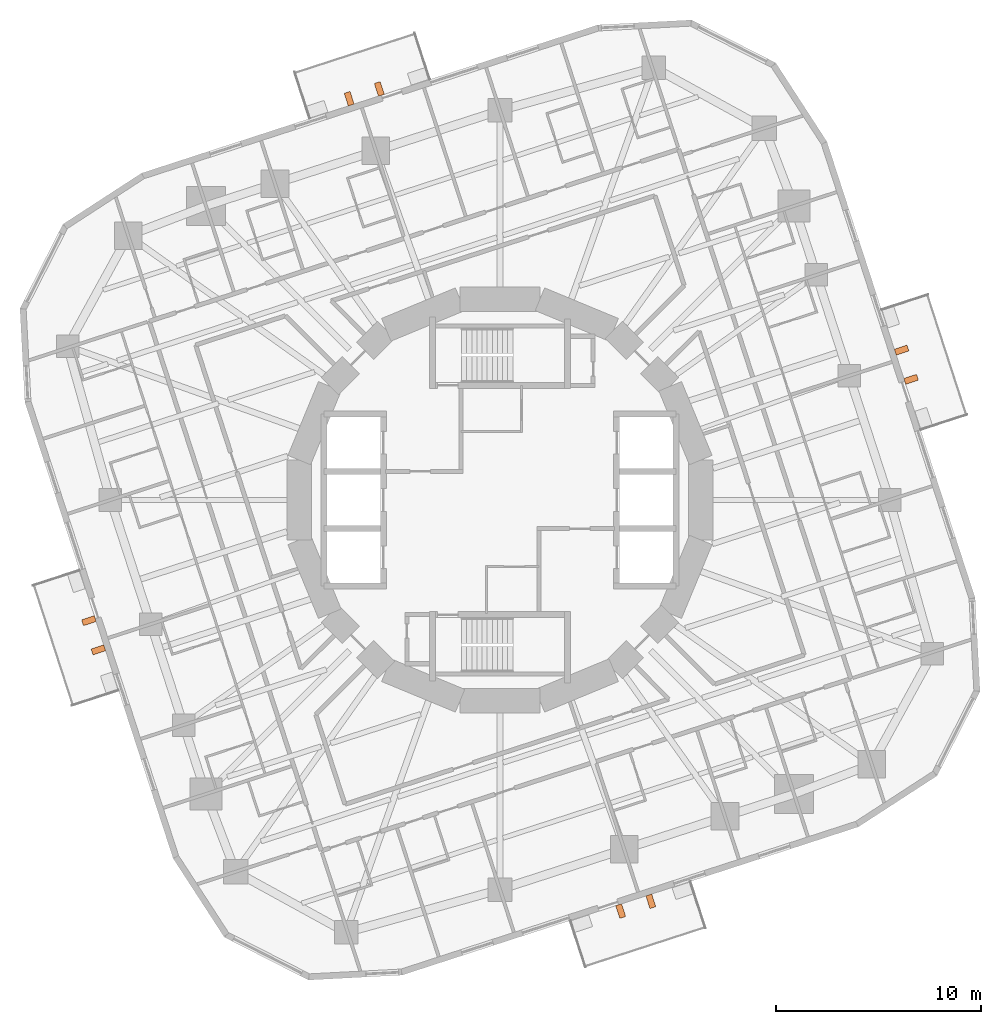
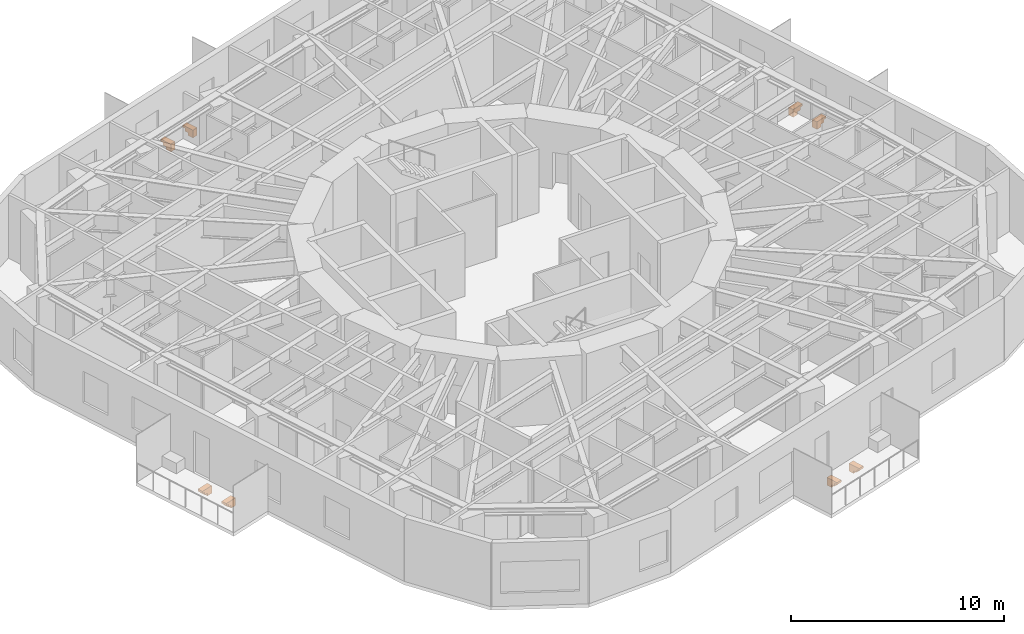
# One storey, part 12 of 12: 8 proxies.
"""IFC4 building model written with IfcOpenShell, lengths in metres."""

import ifcopenshell
import ifcopenshell.guid

model = None  # the IFC model being written
_history = None  # IfcOwnerHistory: only IFC2X3 demands one
_inside = {}  # id of a spatial element -> (the spatial element, [elements in it])
_under = {}  # id of a project, library or spatial element -> (it, [spatial elements below it])
_declared = {}  # id of a project -> (the project, [libraries it declares])
_typed = {}  # id of a type object -> (the type object, [elements of that type])
_made_of = {}  # id of a material, layer set ... -> (it, [elements and type objects made of it])


def new_model(schema):
    """Start an empty IFC model of exactly this schema.

    Asked for "IFC4X3", IfcOpenShell would pick the latest addendum, in which some entities
    have other attributes; the version numbers below select the first issue.
    IFC2X3 requires an IfcOwnerHistory on every rooted entity: one is made here for all.
    """
    global model, _history
    if schema == "IFC4X3":
        model = ifcopenshell.file(schema_version=(4, 3, 0, 0))
    else:
        model = ifcopenshell.file(schema=schema)
    _inside.clear()
    _under.clear()
    _declared.clear()
    _typed.clear()
    _made_of.clear()
    _history = None
    if model.schema == "IFC2X3":
        org = make("IfcOrganization", Name="unknown")
        user = make(
            "IfcPersonAndOrganization",
            ThePerson=make("IfcPerson", FamilyName="unknown"),
            TheOrganization=org,
        )
        app = make(
            "IfcApplication",
            ApplicationDeveloper=org,
            Version="unknown",
            ApplicationFullName="unknown",
            ApplicationIdentifier="unknown",
        )
        _history = make(
            "IfcOwnerHistory",
            OwningUser=user,
            OwningApplication=app,
            ChangeAction="ADDED",
            CreationDate=0,
        )
    return model


def make(cls, **values):
    """One entity of the class cls with the attributes given. An attribute that is None is left unset."""
    return model.create_entity(
        cls, **{name: value for name, value in values.items() if value is not None}
    )


def rooted(cls, **values):
    """An entity with a GlobalId (a new one), such as an element, a storey or a relation."""
    return make(cls, GlobalId=ifcopenshell.guid.new(), OwnerHistory=_history, **values)


def si_unit(unit_type, name, prefix=None):
    """IfcSIUnit, for example si_unit("LENGTHUNIT", "METRE", prefix="MILLI")."""
    return make("IfcSIUnit", UnitType=unit_type, Prefix=prefix, Name=name)


def assignment(units):
    """IfcUnitAssignment: the units of a project."""
    return None if units is None else make("IfcUnitAssignment", Units=units)


def point(xyz):
    """IfcCartesianPoint."""
    return None if xyz is None else make("IfcCartesianPoint", Coordinates=xyz)


def direction(xyz):
    """IfcDirection."""
    return None if xyz is None else make("IfcDirection", DirectionRatios=xyz)


def frame(location, z_axis=None, x_axis=None):
    """IfcAxis2Placement3D, a coordinate frame: its origin and axes. An axis left out is left unset."""
    return make(
        "IfcAxis2Placement3D",
        Location=point(location),
        Axis=direction(z_axis),
        RefDirection=direction(x_axis),
    )


def origin():
    """The frame at (0, 0, 0) with its axes left unset."""
    return frame((0.0, 0.0, 0.0))


def place(relative_to, where):
    """IfcLocalPlacement: puts the frame where relative to a parent placement (None: the world)."""
    return make(
        "IfcLocalPlacement", PlacementRelTo=relative_to, RelativePlacement=where
    )


def context(
    kind, dimensions, precision=None, world=None, true_north=None, identifier=None
):
    """IfcGeometricRepresentationContext, for example the 3D "Model" context."""
    return make(
        "IfcGeometricRepresentationContext",
        ContextIdentifier=identifier,
        ContextType=kind,
        CoordinateSpaceDimension=dimensions,
        Precision=precision,
        WorldCoordinateSystem=world,
        TrueNorth=true_north,
    )


def subcontext(parent, identifier, kind, view, scale=None):
    """IfcGeometricRepresentationSubContext, for example "Body" below "Model"."""
    return make(
        "IfcGeometricRepresentationSubContext",
        ContextIdentifier=identifier,
        ContextType=kind,
        ParentContext=parent,
        TargetScale=scale,
        TargetView=view,
    )


def project(units=None, contexts=None):
    """IfcProject with its units and contexts."""
    return rooted(
        "IfcProject",
        Name="project",
        RepresentationContexts=contexts,
        UnitsInContext=assignment(units),
    )


def spatial(cls, under=None, at=None, **own):
    """A site, building, storey or space (cls), placed at a placement, below another one or the project."""
    s = rooted(cls, ObjectPlacement=at, **own)
    if under is not None:
        _under.setdefault(under.id(), (under, []))[1].append(s)
    return s


def polyline(points):
    """IfcPolyline through the points."""
    return make("IfcPolyline", Points=[point(p) for p in points])


def outline(outer, holes=None, kind="AREA"):
    """IfcArbitraryClosedProfileDef: a profile drawn as a closed curve; with holes, ...WithVoids."""
    if holes is None:
        return make("IfcArbitraryClosedProfileDef", ProfileType=kind, OuterCurve=outer)
    return make(
        "IfcArbitraryProfileDefWithVoids",
        ProfileType=kind,
        OuterCurve=outer,
        InnerCurves=holes,
    )


def extrude(swept, where, along, depth):
    """IfcExtrudedAreaSolid: the profile swept, set in the frame where, extruded along a direction by depth."""
    return make(
        "IfcExtrudedAreaSolid",
        SweptArea=swept,
        Position=where,
        ExtrudedDirection=direction(along),
        Depth=depth,
    )


def shape(context_of_items, identifier, shape_type, items):
    """IfcShapeRepresentation: the items that make up one representation, for example the "Body"."""
    return make(
        "IfcShapeRepresentation",
        ContextOfItems=context_of_items,
        RepresentationIdentifier=identifier,
        RepresentationType=shape_type,
        Items=items,
    )


def material(Name=None, Category=None):
    """IfcMaterial."""
    return make("IfcMaterial", Name=Name, Category=Category)


def made_of(thing, what):
    """Note that an element or type object is made of a material, layer set ...; save() writes the relation."""
    if what is not None:
        _made_of.setdefault(what.id(), (what, []))[1].append(thing)
    return thing


def type_object(cls, material=None, **own):
    """A type object (cls), such as IfcWallType, which elements share."""
    return made_of(rooted(cls, **own), material)


def element(
    cls,
    number,
    at=None,
    inside=None,
    cuts=None,
    type_object=None,
    material=None,
    context=None,
    identifier="Body",
    shape_type=None,
    held_by="IfcProductDefinitionShape",
    body=None,
    shapes=None,
    **own,
):
    """One element of the class cls, such as IfcWall. Its Tag is "e" and its number.

    at: its placement. inside: the storey or other place that contains it. cuts: it is an
    opening in that element (IfcRelVoidsElement). A single representation is given by context,
    identifier, shape_type and body (its items); several are given by shapes. held_by: the class
    of the entity that holds the representations. save() writes the other relations.
    """
    e = rooted(cls, Tag="e%d" % number, ObjectPlacement=at, **own)
    if body is not None:
        shapes = [shape(context, identifier, shape_type, body)]
    if shapes is not None:
        e.Representation = make(held_by, Representations=shapes)
    if inside is not None:
        _inside.setdefault(inside.id(), (inside, []))[1].append(e)
    if cuts is not None:
        rooted(
            "IfcRelVoidsElement", RelatingBuildingElement=cuts, RelatedOpeningElement=e
        )
    if type_object is not None:
        _typed.setdefault(type_object.id(), (type_object, []))[1].append(e)
    return made_of(e, material)


def aggregate(whole, parts):
    """IfcRelAggregates: a whole, such as a stair, and the parts it consists of."""
    return rooted("IfcRelAggregates", RelatingObject=whole, RelatedObjects=parts)


def save(model, path):
    """Write the relations noted so far, then the file.

    IfcRelAggregates (storeys below a building ...), IfcRelContainedInSpatialStructure (elements
    in a storey), IfcRelDefinesByType, IfcRelAssociatesMaterial and IfcRelDeclares: one each for
    every whole, place, type object, material and project.
    """
    for whole, parts in _under.values():
        aggregate(whole, parts)
    for where, things in _inside.values():
        rooted(
            "IfcRelContainedInSpatialStructure",
            RelatedElements=things,
            RelatingStructure=where,
        )
    for kind, things in _typed.values():
        rooted("IfcRelDefinesByType", RelatedObjects=things, RelatingType=kind)
    for what, things in _made_of.values():
        rooted("IfcRelAssociatesMaterial", RelatedObjects=things, RelatingMaterial=what)
    for by, libraries in _declared.values():
        rooted("IfcRelDeclares", RelatingContext=by, RelatedDefinitions=libraries)
    model.write(path)


model = new_model("IFC4")

# Units and contexts
model_context = context("Model", 3, precision=1e-05, world=origin(), true_north=direction((0.0, 1.0)))
body_context = subcontext(model_context, "Body", "Model", "MODEL_VIEW")
ifc_project = project(units=[si_unit("LENGTHUNIT", "METRE"), si_unit("AREAUNIT", "SQUARE_METRE"), si_unit("VOLUMEUNIT", "CUBIC_METRE"), si_unit("PLANEANGLEUNIT", "RADIAN"), si_unit("MASSUNIT", "GRAM", prefix="KILO")], contexts=[model_context])

# Site, building, storey
site_placement = place(None, origin())
site = spatial("IfcSite", under=ifc_project, at=site_placement, CompositionType="ELEMENT")
building_placement = place(site_placement, origin())
building = spatial("IfcBuilding", under=site, at=building_placement, Name="Nakasero Lantern House", CompositionType="ELEMENT")
storey_placement = place(building_placement, frame((0.0, 0.0, 172.60009765625)))
storey = spatial("IfcBuildingStorey", under=building, at=storey_placement, Name="L42", CompositionType="ELEMENT", Elevation=172.60009765625)

# Proxies
ifc_material = material(Name="Concrete C40/50 precast", Category="concrete")
building_element_proxy_type = type_object("IfcBuildingElementProxyType", Name="Balcony bracket 300", PredefinedType="USERDEFINED", material=ifc_material)
for number, where, z_axis, x_axis, name in (
    (1, (19.777099609375, 5.795166015625, -0.2001953125), (0.0, 0.0, 1.0), (0.951056516, 0.309016994, 0.0), "Balcony bracket L42 0A"),
    (2, (19.313720703125, 7.2216796875, -0.2001953125), (0.0, 0.0, 1.0), (0.951056516, 0.309016994, 0.0), "Balcony bracket L42 0B"),
    (3, (-5.795166015625, 19.777099609375, -0.2001953125), (0.0, 0.0, 1.0), (-0.309016994, 0.951056516, 0.0), "Balcony bracket L42 1A"),
    (4, (-7.269287109375, 19.298095703125, -0.2001953125), (0.0, 0.0, 1.0), (-0.309016994, 0.951056516, 0.0), "Balcony bracket L42 1B"),
    (5, (-19.777099609375, -5.795166015625, -0.2001953125), (0.0, 0.0, 1.0), (-0.951056516, -0.309016994, 0.0), "Balcony bracket L42 2A"),
    (6, (-19.313720703125, -7.2216796875, -0.2001953125), (0.0, 0.0, 1.0), (-0.951056516, -0.309016994, 0.0), "Balcony bracket L42 2B"),
    (7, (5.795166015625, -19.777099609375, -0.2001953125), (0.0, 0.0, 1.0), (0.309016994, -0.951056516, 0.0), "Balcony bracket L42 3A"),
    (8, (7.269287109375, -19.298095703125, -0.2001953125), (0.0, 0.0, 1.0), (0.309016994, -0.951056516, 0.0), "Balcony bracket L42 3B"),
):
    element("IfcBuildingElementProxy", number, at=place(storey_placement, frame(where, z_axis=z_axis, x_axis=x_axis)), inside=storey, type_object=building_element_proxy_type, Name=name, ObjectType="BALCONY BRACKET", PredefinedType="USERDEFINED", context=body_context, shape_type="SweptSolid", body=[
        extrude(outline(polyline([(0.0, 0.0), (0.64990234375, 0.0), (0.64990234375, -0.1201171875), (0.5, -0.1201171875), (0.5, -0.280029296875), (0.300048828125, -0.280029296875), (0.300048828125, -0.43994140625), (0.0, -0.43994140625), (0.0, 0.0)])), frame((0.0, 0.14990234375, 0.0), z_axis=(0.0, -1.0, 0.0), x_axis=(1.0, 0.0, 0.0)), (0.0, 0.0, 1.0), 0.300048828125),
    ])

save(model, "model.ifc")
